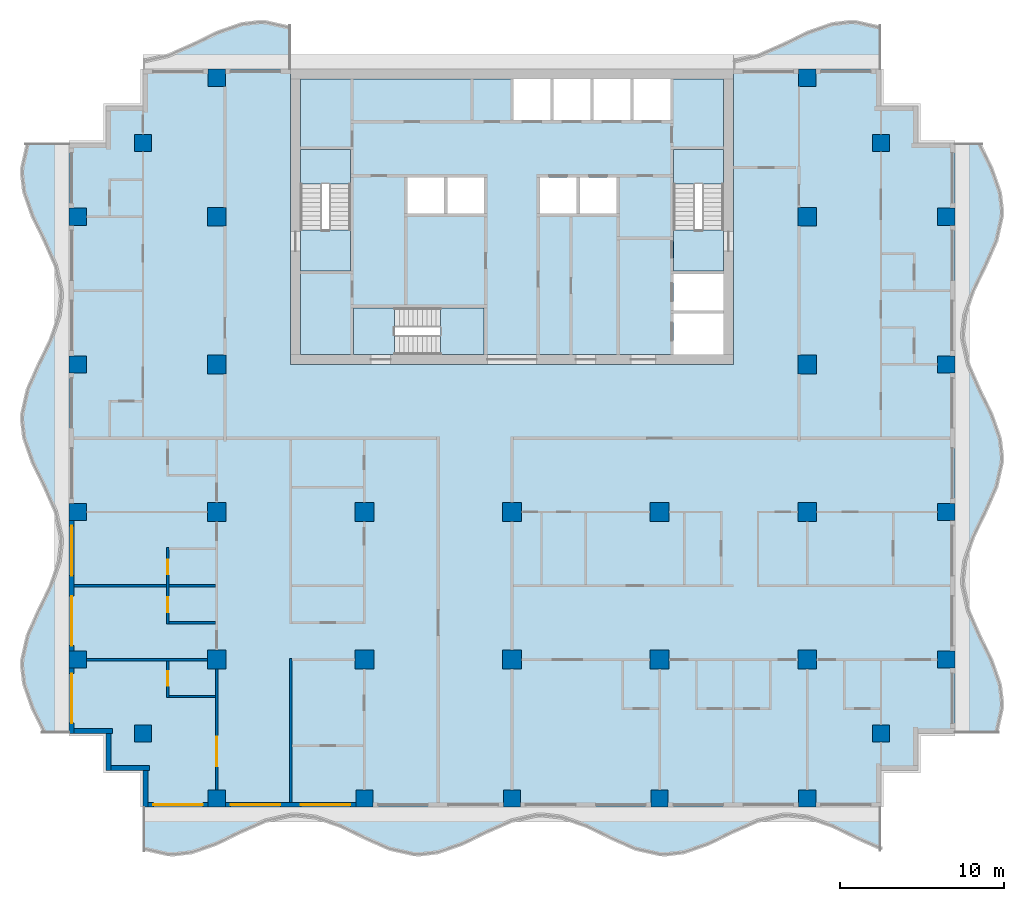
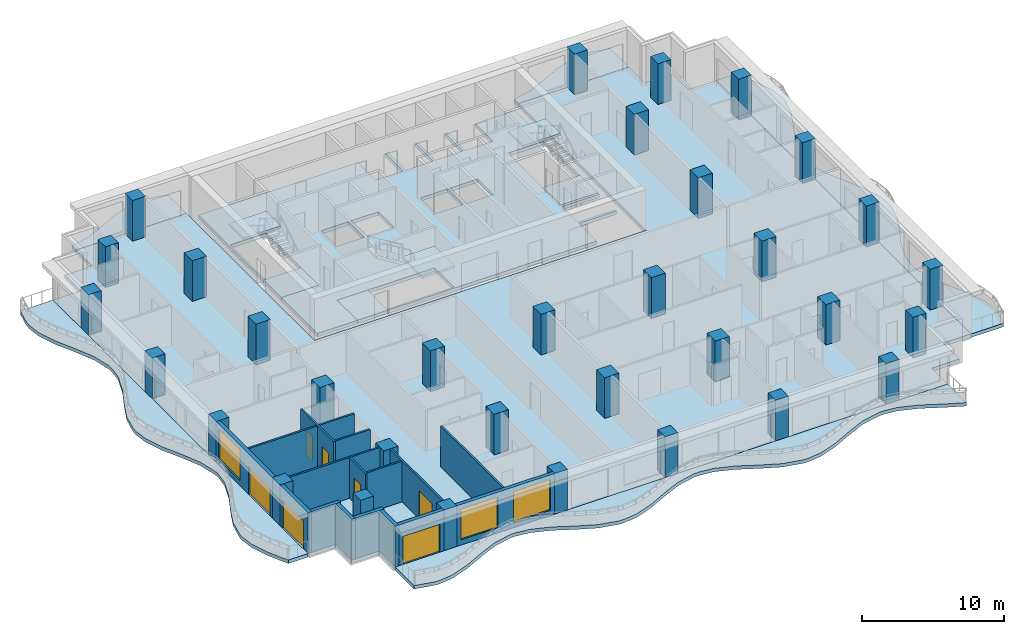
# One storey, part 1 of 11: 33 columns, 17 walls, 13 slabs, 7 doors, 3 windows, 10 openings, 3 elements without a shape of their own.
"""IFC4 building model written with IfcOpenShell, lengths in metres."""

import ifcopenshell
import ifcopenshell.guid

model = None  # the IFC model being written
_history = None  # IfcOwnerHistory: only IFC2X3 demands one
_inside = {}  # id of a spatial element -> (the spatial element, [elements in it])
_under = {}  # id of a project, library or spatial element -> (it, [spatial elements below it])
_declared = {}  # id of a project -> (the project, [libraries it declares])
_typed = {}  # id of a type object -> (the type object, [elements of that type])
_made_of = {}  # id of a material, layer set ... -> (it, [elements and type objects made of it])


def new_model(schema):
    """Start an empty IFC model of exactly this schema.

    Asked for "IFC4X3", IfcOpenShell would pick the latest addendum, in which some entities
    have other attributes; the version numbers below select the first issue.
    IFC2X3 requires an IfcOwnerHistory on every rooted entity: one is made here for all.
    """
    global model, _history
    if schema == "IFC4X3":
        model = ifcopenshell.file(schema_version=(4, 3, 0, 0))
    else:
        model = ifcopenshell.file(schema=schema)
    _inside.clear()
    _under.clear()
    _declared.clear()
    _typed.clear()
    _made_of.clear()
    _history = None
    if model.schema == "IFC2X3":
        org = make("IfcOrganization", Name="unknown")
        user = make(
            "IfcPersonAndOrganization",
            ThePerson=make("IfcPerson", FamilyName="unknown"),
            TheOrganization=org,
        )
        app = make(
            "IfcApplication",
            ApplicationDeveloper=org,
            Version="unknown",
            ApplicationFullName="unknown",
            ApplicationIdentifier="unknown",
        )
        _history = make(
            "IfcOwnerHistory",
            OwningUser=user,
            OwningApplication=app,
            ChangeAction="ADDED",
            CreationDate=0,
        )
    return model


def make(cls, **values):
    """One entity of the class cls with the attributes given. An attribute that is None is left unset."""
    return model.create_entity(
        cls, **{name: value for name, value in values.items() if value is not None}
    )


def rooted(cls, **values):
    """An entity with a GlobalId (a new one), such as an element, a storey or a relation."""
    return make(cls, GlobalId=ifcopenshell.guid.new(), OwnerHistory=_history, **values)


def si_unit(unit_type, name, prefix=None):
    """IfcSIUnit, for example si_unit("LENGTHUNIT", "METRE", prefix="MILLI")."""
    return make("IfcSIUnit", UnitType=unit_type, Prefix=prefix, Name=name)


def assignment(units):
    """IfcUnitAssignment: the units of a project."""
    return None if units is None else make("IfcUnitAssignment", Units=units)


def point(xyz):
    """IfcCartesianPoint."""
    return None if xyz is None else make("IfcCartesianPoint", Coordinates=xyz)


def direction(xyz):
    """IfcDirection."""
    return None if xyz is None else make("IfcDirection", DirectionRatios=xyz)


def frame(location, z_axis=None, x_axis=None):
    """IfcAxis2Placement3D, a coordinate frame: its origin and axes. An axis left out is left unset."""
    return make(
        "IfcAxis2Placement3D",
        Location=point(location),
        Axis=direction(z_axis),
        RefDirection=direction(x_axis),
    )


def frame_2d(location, x_axis=None):
    """IfcAxis2Placement2D, a coordinate frame in the plane: its origin and x axis."""
    return make(
        "IfcAxis2Placement2D", Location=point(location), RefDirection=direction(x_axis)
    )


def origin():
    """The frame at (0, 0, 0) with its axes left unset."""
    return frame((0.0, 0.0, 0.0))


def origin_2d():
    """The frame at (0, 0) in the plane with its x axis left unset."""
    return frame_2d((0.0, 0.0))


def place(relative_to, where):
    """IfcLocalPlacement: puts the frame where relative to a parent placement (None: the world)."""
    return make(
        "IfcLocalPlacement", PlacementRelTo=relative_to, RelativePlacement=where
    )


def context(
    kind, dimensions, precision=None, world=None, true_north=None, identifier=None
):
    """IfcGeometricRepresentationContext, for example the 3D "Model" context."""
    return make(
        "IfcGeometricRepresentationContext",
        ContextIdentifier=identifier,
        ContextType=kind,
        CoordinateSpaceDimension=dimensions,
        Precision=precision,
        WorldCoordinateSystem=world,
        TrueNorth=true_north,
    )


def subcontext(parent, identifier, kind, view, scale=None):
    """IfcGeometricRepresentationSubContext, for example "Body" below "Model"."""
    return make(
        "IfcGeometricRepresentationSubContext",
        ContextIdentifier=identifier,
        ContextType=kind,
        ParentContext=parent,
        TargetScale=scale,
        TargetView=view,
    )


def project(units=None, contexts=None):
    """IfcProject with its units and contexts."""
    return rooted(
        "IfcProject",
        Name="project",
        RepresentationContexts=contexts,
        UnitsInContext=assignment(units),
    )


def spatial(cls, under=None, at=None, **own):
    """A site, building, storey or space (cls), placed at a placement, below another one or the project."""
    s = rooted(cls, ObjectPlacement=at, **own)
    if under is not None:
        _under.setdefault(under.id(), (under, []))[1].append(s)
    return s


def polyline(points):
    """IfcPolyline through the points."""
    return make("IfcPolyline", Points=[point(p) for p in points])


def profile(cls, at=None, kind="AREA", **sizes):
    """A parametric profile (cls). Its sizes go by their IFC names, for example OverallWidth=200.0."""
    return make(cls, ProfileType=kind, Position=at, **sizes)


def rectangle(**sizes):
    """IfcRectangleProfileDef."""
    return profile("IfcRectangleProfileDef", **sizes)


def outline(outer, holes=None, kind="AREA"):
    """IfcArbitraryClosedProfileDef: a profile drawn as a closed curve; with holes, ...WithVoids."""
    if holes is None:
        return make("IfcArbitraryClosedProfileDef", ProfileType=kind, OuterCurve=outer)
    return make(
        "IfcArbitraryProfileDefWithVoids",
        ProfileType=kind,
        OuterCurve=outer,
        InnerCurves=holes,
    )


def extrude(swept, where, along, depth):
    """IfcExtrudedAreaSolid: the profile swept, set in the frame where, extruded along a direction by depth."""
    return make(
        "IfcExtrudedAreaSolid",
        SweptArea=swept,
        Position=where,
        ExtrudedDirection=direction(along),
        Depth=depth,
    )


def shape(context_of_items, identifier, shape_type, items):
    """IfcShapeRepresentation: the items that make up one representation, for example the "Body"."""
    return make(
        "IfcShapeRepresentation",
        ContextOfItems=context_of_items,
        RepresentationIdentifier=identifier,
        RepresentationType=shape_type,
        Items=items,
    )


def material(Name=None, Category=None):
    """IfcMaterial."""
    return make("IfcMaterial", Name=Name, Category=Category)


def layer(
    of_material, thickness, ventilated=None, Name=None, Category=None, Priority=None
):
    """IfcMaterialLayer: one layer of a wall or slab, of a material (None: an air gap)."""
    return make(
        "IfcMaterialLayer",
        Material=of_material,
        LayerThickness=thickness,
        IsVentilated=ventilated,
        Name=Name,
        Category=Category,
        Priority=Priority,
    )


def layer_set(layers, Name=None):
    """IfcMaterialLayerSet."""
    return make("IfcMaterialLayerSet", MaterialLayers=layers, LayerSetName=Name)


def material_profile(
    of_material, cross_section, Name=None, Category=None, Priority=None
):
    """IfcMaterialProfile: a cross section and its material."""
    return make(
        "IfcMaterialProfile",
        Name=Name,
        Material=of_material,
        Profile=cross_section,
        Priority=Priority,
        Category=Category,
    )


def profile_set(profiles, Name=None, composite=None):
    """IfcMaterialProfileSet."""
    return make(
        "IfcMaterialProfileSet",
        Name=Name,
        MaterialProfiles=profiles,
        CompositeProfile=composite,
    )


def made_of(thing, what):
    """Note that an element or type object is made of a material, layer set ...; save() writes the relation."""
    if what is not None:
        _made_of.setdefault(what.id(), (what, []))[1].append(thing)
    return thing


def type_object(cls, material=None, **own):
    """A type object (cls), such as IfcWallType, which elements share."""
    return made_of(rooted(cls, **own), material)


def element(
    cls,
    number,
    at=None,
    inside=None,
    cuts=None,
    type_object=None,
    material=None,
    context=None,
    identifier="Body",
    shape_type=None,
    held_by="IfcProductDefinitionShape",
    body=None,
    shapes=None,
    **own,
):
    """One element of the class cls, such as IfcWall. Its Tag is "e" and its number.

    at: its placement. inside: the storey or other place that contains it. cuts: it is an
    opening in that element (IfcRelVoidsElement). A single representation is given by context,
    identifier, shape_type and body (its items); several are given by shapes. held_by: the class
    of the entity that holds the representations. save() writes the other relations.
    """
    e = rooted(cls, Tag="e%d" % number, ObjectPlacement=at, **own)
    if body is not None:
        shapes = [shape(context, identifier, shape_type, body)]
    if shapes is not None:
        e.Representation = make(held_by, Representations=shapes)
    if inside is not None:
        _inside.setdefault(inside.id(), (inside, []))[1].append(e)
    if cuts is not None:
        rooted(
            "IfcRelVoidsElement", RelatingBuildingElement=cuts, RelatedOpeningElement=e
        )
    if type_object is not None:
        _typed.setdefault(type_object.id(), (type_object, []))[1].append(e)
    return made_of(e, material)


def fill(opening, filler):
    """IfcRelFillsElement: the door or window that sits in an opening."""
    return rooted(
        "IfcRelFillsElement",
        RelatingOpeningElement=opening,
        RelatedBuildingElement=filler,
    )


def aggregate(whole, parts):
    """IfcRelAggregates: a whole, such as a stair, and the parts it consists of."""
    return rooted("IfcRelAggregates", RelatingObject=whole, RelatedObjects=parts)


def save(model, path):
    """Write the relations noted so far, then the file.

    IfcRelAggregates (storeys below a building ...), IfcRelContainedInSpatialStructure (elements
    in a storey), IfcRelDefinesByType, IfcRelAssociatesMaterial and IfcRelDeclares: one each for
    every whole, place, type object, material and project.
    """
    for whole, parts in _under.values():
        aggregate(whole, parts)
    for where, things in _inside.values():
        rooted(
            "IfcRelContainedInSpatialStructure",
            RelatedElements=things,
            RelatingStructure=where,
        )
    for kind, things in _typed.values():
        rooted("IfcRelDefinesByType", RelatedObjects=things, RelatingType=kind)
    for what, things in _made_of.values():
        rooted("IfcRelAssociatesMaterial", RelatedObjects=things, RelatingMaterial=what)
    for by, libraries in _declared.values():
        rooted("IfcRelDeclares", RelatingContext=by, RelatedDefinitions=libraries)
    model.write(path)


model = new_model("IFC4")

# Units and contexts
model_context = context("Model", 3, precision=1e-05, world=origin(), true_north=direction((0.0, 1.0)))
body_context = subcontext(model_context, "Body", "Model", "MODEL_VIEW")
ifc_project = project(units=[si_unit("LENGTHUNIT", "METRE"), si_unit("AREAUNIT", "SQUARE_METRE"), si_unit("VOLUMEUNIT", "CUBIC_METRE"), si_unit("PLANEANGLEUNIT", "RADIAN"), si_unit("MASSUNIT", "GRAM", prefix="KILO")], contexts=[model_context])

# Site, building, storey
site_placement = place(None, origin())
site = spatial("IfcSite", under=ifc_project, at=site_placement, CompositionType="ELEMENT")
building_placement = place(site_placement, origin())
building = spatial("IfcBuilding", under=site, at=building_placement, Name="Orbiselva Terraces", CompositionType="ELEMENT")
storey_placement = place(building_placement, frame((0.0, 0.0, 184.4)))
storey = spatial("IfcBuildingStorey", under=building, at=storey_placement, Name="L46", CompositionType="ELEMENT", Elevation=184.4)

# Columns
ifc_material_1 = material(Name="Concrete C60/75", Category="concrete")
ifc_material_profile_1 = material_profile(ifc_material_1, rectangle(XDim=1.15, YDim=1.15, at=origin_2d()), Name="RC 1150x1150")
ifc_profile_set_1 = profile_set([ifc_material_profile_1], Name="Concrete C60/75")
column_type_1 = type_object("IfcColumnType", Name="COLUMN RC 1150x1150", PredefinedType="COLUMN", material=ifc_profile_set_1)
for number, where, z_axis, x_axis, name in (
    (1, (-18.0, -13.5, 0.0), (0.0, 0.0, 1.0), (1.0, 0.0, 0.0), "Column L46-01"),
    (2, (-18.0, -4.5, 0.0), (0.0, 0.0, 1.0), (1.0, 0.0, 0.0), "Column L46-03"),
    (3, (-18.0, 13.5, 0.0), (0.0, 0.0, 1.0), (1.0, 0.0, 0.0), "Column L46-04"),
    (4, (-18.0, 4.5, 0.0), (0.0, 0.0, 1.0), (1.0, 0.0, 0.0), "Column L46-06"),
    (5, (-9.0, -13.5, 0.0), (0.0, 0.0, 1.0), (1.0, 0.0, 0.0), "Column L46-13"),
    (6, (-9.0, -4.5, 0.0), (0.0, 0.0, 1.0), (1.0, 0.0, 0.0), "Column L46-15"),
    (7, (0.0, -13.5, 0.0), (0.0, 0.0, 1.0), (1.0, 0.0, 0.0), "Column L46-16"),
    (8, (0.0, -4.5, 0.0), (0.0, 0.0, 1.0), (1.0, 0.0, 0.0), "Column L46-18"),
    (9, (18.0, -13.5, 0.0), (0.0, 0.0, 1.0), (1.0, 0.0, 0.0), "Column L46-19"),
    (10, (18.0, -4.5, 0.0), (0.0, 0.0, 1.0), (1.0, 0.0, 0.0), "Column L46-21"),
    (11, (18.0, 13.5, 0.0), (0.0, 0.0, 1.0), (1.0, 0.0, 0.0), "Column L46-22"),
    (12, (18.0, 4.5, 0.0), (0.0, 0.0, 1.0), (1.0, 0.0, 0.0), "Column L46-24"),
    (13, (9.0, -13.5, 0.0), (0.0, 0.0, 1.0), (1.0, 0.0, 0.0), "Column L46-31"),
    (14, (9.0, -4.5, 0.0), (0.0, 0.0, 1.0), (1.0, 0.0, 0.0), "Column L46-33"),
):
    element("IfcColumn", number, at=place(storey_placement, frame(where, z_axis=z_axis, x_axis=x_axis)), inside=storey, type_object=column_type_1, Name=name, PredefinedType="COLUMN", context=body_context, shape_type="SweptSolid", body=[
        extrude(rectangle(XDim=1.15, YDim=1.15, at=origin_2d()), origin(), (0.0, 0.0, 1.0), 3.5),
    ])
ifc_material_2 = material(Name="Concrete C50/60", Category="concrete")
ifc_material_profile_2 = material_profile(ifc_material_2, rectangle(XDim=1.05, YDim=1.05, at=origin_2d()), Name="RC 1050x1050")
ifc_profile_set_2 = profile_set([ifc_material_profile_2], Name="Concrete C50/60")
column_type_2 = type_object("IfcColumnType", Name="PERIMETER COLUMN RC 1050x1050", PredefinedType="COLUMN", material=ifc_profile_set_2)
for number, where, z_axis, x_axis, name in (
    (15, (-18.0, -21.975, 0.0), (0.0, 0.0, 1.0), (1.0, 0.0, 0.0), "Column L46-02"),
    (16, (-18.0, 21.975, 0.0), (0.0, 0.0, 1.0), (1.0, 0.0, 0.0), "Column L46-05"),
    (17, (-26.475, -13.5, 0.0), (0.0, 0.0, 1.0), (1.0, 0.0, 0.0), "Column L46-07"),
    (18, (-22.5, -18.0, 0.0), (0.0, 0.0, 1.0), (1.0, 0.0, 0.0), "Column L46-08"),
    (19, (-26.475, -4.5, 0.0), (0.0, 0.0, 1.0), (1.0, 0.0, 0.0), "Column L46-09"),
    (20, (-26.475, 13.5, 0.0), (0.0, 0.0, 1.0), (1.0, 0.0, 0.0), "Column L46-10"),
    (21, (-22.5, 18.0, 0.0), (0.0, 0.0, 1.0), (1.0, 0.0, 0.0), "Column L46-11"),
    (22, (-26.475, 4.5, 0.0), (0.0, 0.0, 1.0), (1.0, 0.0, 0.0), "Column L46-12"),
    (23, (-9.0, -21.975, 0.0), (0.0, 0.0, 1.0), (1.0, 0.0, 0.0), "Column L46-14"),
    (24, (0.0, -21.975, 0.0), (0.0, 0.0, 1.0), (1.0, 0.0, 0.0), "Column L46-17"),
    (25, (18.0, -21.975, 0.0), (0.0, 0.0, 1.0), (1.0, 0.0, 0.0), "Column L46-20"),
    (26, (18.0, 21.975, 0.0), (0.0, 0.0, 1.0), (1.0, 0.0, 0.0), "Column L46-23"),
    (27, (26.475, -13.5, 0.0), (0.0, 0.0, 1.0), (1.0, 0.0, 0.0), "Column L46-25"),
    (28, (22.5, -18.0, 0.0), (0.0, 0.0, 1.0), (1.0, 0.0, 0.0), "Column L46-26"),
    (29, (26.475, -4.5, 0.0), (0.0, 0.0, 1.0), (1.0, 0.0, 0.0), "Column L46-27"),
    (30, (26.475, 13.5, 0.0), (0.0, 0.0, 1.0), (1.0, 0.0, 0.0), "Column L46-28"),
    (31, (22.5, 18.0, 0.0), (0.0, 0.0, 1.0), (1.0, 0.0, 0.0), "Column L46-29"),
    (32, (26.475, 4.5, 0.0), (0.0, 0.0, 1.0), (1.0, 0.0, 0.0), "Column L46-30"),
    (33, (9.0, -21.975, 0.0), (0.0, 0.0, 1.0), (1.0, 0.0, 0.0), "Column L46-32"),
):
    element("IfcColumn", number, at=place(storey_placement, frame(where, z_axis=z_axis, x_axis=x_axis)), inside=storey, type_object=column_type_2, Name=name, PredefinedType="COLUMN", context=body_context, shape_type="SweptSolid", body=[
        extrude(rectangle(XDim=1.05, YDim=1.05, at=origin_2d()), origin(), (0.0, 0.0, 1.0), 3.5),
    ])

# Slabs
ifc_material_3 = material(Name="Concrete C40/50", Category="concrete")
ifc_layer_1 = layer(ifc_material_3, 0.3)
ifc_layer_set_1 = layer_set([ifc_layer_1], Name="Concrete C40/50")
slab_type_1 = type_object("IfcSlabType", Name="CORE-SLAB-FLOOR-300", PredefinedType="FLOOR", material=ifc_layer_set_1)
slab_1_placement = place(storey_placement, frame((0.0, 0.0, -0.3)))
element("IfcSlab", 34, at=slab_1_placement, inside=storey, type_object=slab_type_1, Name="L46 S1 floor landing", PredefinedType="FLOOR", context=body_context, shape_type="SweptSolid", body=[
    extrude(outline(polyline([(-12.9, 12.7), (-9.85, 12.7), (-9.85, 10.2), (-12.9, 10.2), (-12.9, 12.7)])), origin(), (0.0, 0.0, 1.0), 0.3),
])
slab_2_placement = place(storey_placement, frame((0.0, 0.0, -0.3)))
element("IfcSlab", 35, at=slab_2_placement, inside=storey, type_object=slab_type_1, Name="L46 S2 floor landing", PredefinedType="FLOOR", context=body_context, shape_type="SweptSolid", body=[
    extrude(outline(polyline([(12.9, 10.2), (9.85, 10.2), (9.85, 12.7), (12.9, 12.7), (12.9, 10.2)])), origin(), (0.0, 0.0, 1.0), 0.3),
])
slab_3_placement = place(storey_placement, frame((0.0, 0.0, -0.3)))
element("IfcSlab", 36, at=slab_3_placement, inside=storey, type_object=slab_type_1, Name="L46 S3 floor landing", PredefinedType="FLOOR", context=body_context, shape_type="SweptSolid", body=[
    extrude(outline(polyline([(-9.65, 5.1), (-9.65, 7.95), (-7.15, 7.95), (-7.15, 5.1), (-9.65, 5.1)])), origin(), (0.0, 0.0, 1.0), 0.3),
])
slab_4_placement = place(storey_placement, frame((0.0, 0.0, -0.3)))
element("IfcSlab", 37, at=slab_4_placement, inside=storey, type_object=slab_type_1, Name="L46 core floor slab 1", PredefinedType="FLOOR", context=body_context, shape_type="SweptSolid", body=[
    extrude(outline(polyline([(-7.15, 5.1), (-7.15, 5.25), (-1.7, 5.25), (-1.7, 7.95), (-9.65, 7.95), (-9.65, 5.1), (-12.9, 5.1), (-12.9, 10.2), (-9.85, 10.2), (-9.85, 17.6), (-12.75, 17.6), (-12.75, 12.7), (-12.9, 12.7), (-12.9, 21.9), (0.1, 21.9), (0.1, 19.4), (2.3375, 19.4), (2.3375, 21.9), (2.5375, 21.9), (2.5375, 19.4), (4.775, 19.4), (4.775, 21.9), (4.975, 21.9), (4.975, 19.4), (7.2125, 19.4), (7.2125, 21.9), (7.4125, 21.9), (7.4125, 19.4), (9.65, 19.4), (9.65, 21.9), (12.9, 21.9), (12.9, 12.7), (12.75, 12.7), (12.75, 17.6), (9.85, 17.6), (9.85, 10.2), (12.9, 10.2), (12.9, 10.0), (9.85, 10.0), (9.85, 7.8), (12.9, 7.8), (12.9, 7.6), (9.85, 7.6), (9.85, 5.1), (-7.15, 5.1)]), holes=[polyline([(-4.1375, 13.7), (-4.1375, 15.9), (-6.375, 15.9), (-6.375, 13.7), (-4.1375, 13.7)]), polyline([(-1.7, 13.7), (-1.7, 15.9), (-3.9375, 15.9), (-3.9375, 13.7), (-1.7, 13.7)]), polyline([(3.9375, 15.9), (1.7, 15.9), (1.7, 13.7), (3.9375, 13.7), (3.9375, 15.9)]), polyline([(6.375, 13.7), (6.375, 15.9), (4.1375, 15.9), (4.1375, 13.7), (6.375, 13.7)])]), origin(), (0.0, 0.0, 1.0), 0.3),
])

# Stair, slab
stair_type_1 = type_object("IfcStairType", Name="CORE-STAIR-1300", PredefinedType="HALF_TURN_STAIR", material=ifc_material_3)
stair_1_placement = place(storey_placement, origin())
stair_1 = element("IfcStair", 38, at=stair_1_placement, inside=storey, type_object=stair_type_1, Name="L46 Exit Stair S1", PredefinedType="HALF_TURN_STAIR")
ifc_layer_2 = layer(ifc_material_3, 0.2)
ifc_layer_set_2 = layer_set([ifc_layer_2], Name="Concrete C40/50")
slab_type_2 = type_object("IfcSlabType", Name="CORE-STAIR-LANDING-200", PredefinedType="LANDING", material=ifc_layer_set_2)
slab_5_placement = place(storey_placement, frame((0.0, 0.0, 1.7)))
slab_5 = element("IfcSlab", 39, at=slab_5_placement, type_object=slab_type_2, Name="S1 landing 1", PredefinedType="LANDING", context=body_context, shape_type="SweptSolid", body=[
    extrude(outline(polyline([(-9.85, 15.5), (-9.85, 17.6), (-12.9, 17.6), (-12.9, 15.5), (-9.85, 15.5)])), origin(), (0.0, 0.0, 1.0), 0.2),
])
aggregate(stair_1, [slab_5])

stair_2_placement = place(storey_placement, origin())
stair_2 = element("IfcStair", 40, at=stair_2_placement, inside=storey, type_object=stair_type_1, Name="L46 Exit Stair S2", PredefinedType="HALF_TURN_STAIR")
slab_6_placement = place(storey_placement, frame((0.0, 0.0, 1.7)))
slab_6 = element("IfcSlab", 41, at=slab_6_placement, type_object=slab_type_2, Name="S2 landing 1", PredefinedType="LANDING", context=body_context, shape_type="SweptSolid", body=[
    extrude(outline(polyline([(12.9, 15.5), (12.9, 17.6), (9.85, 17.6), (9.85, 15.5), (12.9, 15.5)])), origin(), (0.0, 0.0, 1.0), 0.2),
])
aggregate(stair_2, [slab_6])

stair_type_2 = type_object("IfcStairType", Name="CORE-STAIR-1200", PredefinedType="HALF_TURN_STAIR", material=ifc_material_3)
stair_3_placement = place(storey_placement, origin())
stair_3 = element("IfcStair", 42, at=stair_3_placement, inside=storey, type_object=stair_type_2, Name="L46 Exit Stair S3", PredefinedType="HALF_TURN_STAIR")
slab_7_placement = place(storey_placement, frame((0.0, 0.0, 1.7)))
slab_7 = element("IfcSlab", 43, at=slab_7_placement, type_object=slab_type_2, Name="S3 landing 1", PredefinedType="LANDING", context=body_context, shape_type="SweptSolid", body=[
    extrude(outline(polyline([(-4.35, 5.1), (-1.7, 5.1), (-1.7, 7.95), (-4.35, 7.95), (-4.35, 5.1)])), origin(), (0.0, 0.0, 1.0), 0.2),
])
aggregate(stair_3, [slab_7])

# Slabs
ifc_layer_3 = layer(ifc_material_2, 0.3)
ifc_layer_set_3 = layer_set([ifc_layer_3], Name="Concrete C50/60")
slab_type_3 = type_object("IfcSlabType", Name="ENV-BALCONY-SLAB-300", PredefinedType="FLOOR", material=ifc_layer_set_3)
slab_8_placement = place(storey_placement, frame((0.0, 0.0, -0.3)))
element("IfcSlab", 44, at=slab_8_placement, inside=storey, type_object=slab_type_3, Name="Balcony slab L46 S", PredefinedType="FLOOR", context=body_context, shape_type="SweptSolid", body=[
    extrude(outline(polyline([(-22.5, -25.148528), (-21.0, -25.485226), (-20.625, -25.5), (-19.5, -25.369208), (-18.0, -24.844789), (-16.5, -24.112279), (-15.0, -23.451472), (-13.5, -23.114774), (-13.125, -23.1), (-12.0, -23.230792), (-10.5, -23.755211), (-9.0, -24.487721), (-7.5, -25.148528), (-6.0, -25.485226), (-5.625, -25.5), (-4.5, -25.369208), (-3.0, -24.844789), (-1.5, -24.112279), (0.0, -23.451472), (1.5, -23.114774), (1.875, -23.1), (3.0, -23.230792), (4.5, -23.755211), (6.0, -24.487721), (7.5, -25.148528), (9.0, -25.485226), (9.375, -25.5), (10.5, -25.369208), (12.0, -24.844789), (13.5, -24.112279), (15.0, -23.451472), (16.5, -23.114774), (16.875, -23.1), (18.0, -23.230792), (19.5, -23.755211), (21.0, -24.487721), (22.5, -25.148528), (22.5, -22.5), (-22.5, -22.5), (-22.5, -25.148528)])), origin(), (0.0, 0.0, 1.0), 0.3),
])
slab_9_placement = place(storey_placement, frame((0.0, 0.0, -0.3)))
element("IfcSlab", 45, at=slab_9_placement, inside=storey, type_object=slab_type_3, Name="Balcony slab L46 E", PredefinedType="FLOOR", context=body_context, shape_type="SweptSolid", body=[
    extrude(outline(polyline([(29.648528, -18.0), (29.985226, -16.5), (30.0, -16.125), (29.869208, -15.0), (29.344789, -13.5), (28.612279, -12.0), (27.951472, -10.5), (27.614774, -9.0), (27.6, -8.625), (27.730792, -7.5), (28.255211, -6.0), (28.987721, -4.5), (29.648528, -3.0), (29.985226, -1.5), (30.0, -1.125), (29.869208, 0.0), (29.344789, 1.5), (28.612279, 3.0), (27.951472, 4.5), (27.614774, 6.0), (27.6, 6.375), (27.730792, 7.5), (28.255211, 9.0), (28.987721, 10.5), (29.648528, 12.0), (29.985226, 13.5), (30.0, 13.875), (29.869208, 15.0), (29.344789, 16.5), (28.612279, 18.0), (27.0, 18.0), (27.0, -18.0), (29.648528, -18.0)])), origin(), (0.0, 0.0, 1.0), 0.3),
])
slab_10_placement = place(storey_placement, frame((0.0, 0.0, -0.3)))
element("IfcSlab", 46, at=slab_10_placement, inside=storey, type_object=slab_type_3, Name="Balcony slab L46 NE", PredefinedType="FLOOR", context=body_context, shape_type="SweptSolid", body=[
    extrude(outline(polyline([(22.5, 25.148528), (21.0, 25.485226), (20.625, 25.5), (19.5, 25.369208), (18.0, 24.844789), (16.5, 24.112279), (15.0, 23.451472), (13.5, 23.114774), (13.5, 22.5), (22.5, 22.5), (22.5, 25.148528)])), origin(), (0.0, 0.0, 1.0), 0.3),
])
slab_11_placement = place(storey_placement, frame((0.0, 0.0, -0.3)))
element("IfcSlab", 47, at=slab_11_placement, inside=storey, type_object=slab_type_3, Name="Balcony slab L46 NW", PredefinedType="FLOOR", context=body_context, shape_type="SweptSolid", body=[
    extrude(outline(polyline([(-13.5, 25.148528), (-15.0, 25.485226), (-15.375, 25.5), (-16.5, 25.369208), (-18.0, 24.844789), (-19.5, 24.112279), (-21.0, 23.451472), (-22.5, 23.114774), (-22.5, 22.5), (-13.5, 22.5), (-13.5, 25.148528)])), origin(), (0.0, 0.0, 1.0), 0.3),
])
slab_12_placement = place(storey_placement, frame((0.0, 0.0, -0.3)))
element("IfcSlab", 48, at=slab_12_placement, inside=storey, type_object=slab_type_3, Name="Balcony slab L46 W", PredefinedType="FLOOR", context=body_context, shape_type="SweptSolid", body=[
    extrude(outline(polyline([(-29.648528, 18.0), (-29.985226, 16.5), (-30.0, 16.125), (-29.869208, 15.0), (-29.344789, 13.5), (-28.612279, 12.0), (-27.951472, 10.5), (-27.614774, 9.0), (-27.6, 8.625), (-27.730792, 7.5), (-28.255211, 6.0), (-28.987721, 4.5), (-29.648528, 3.0), (-29.985226, 1.5), (-30.0, 1.125), (-29.869208, 0.0), (-29.344789, -1.5), (-28.612279, -3.0), (-27.951472, -4.5), (-27.614774, -6.0), (-27.6, -6.375), (-27.730792, -7.5), (-28.255211, -9.0), (-28.987721, -10.5), (-29.648528, -12.0), (-29.985226, -13.5), (-30.0, -13.875), (-29.869208, -15.0), (-29.344789, -16.5), (-28.612279, -18.0), (-27.0, -18.0), (-27.0, 18.0), (-29.648528, 18.0)])), origin(), (0.0, 0.0, 1.0), 0.3),
])
ifc_layer_4 = layer(ifc_material_2, 0.3)
ifc_layer_set_4 = layer_set([ifc_layer_4], Name="Concrete C50/60")
slab_type_4 = type_object("IfcSlabType", Name="FLOOR SLAB 300", PredefinedType="FLOOR", material=ifc_layer_set_4)
slab_13_placement = place(storey_placement, frame((0.0, 0.0, -0.3)))
element("IfcSlab", 49, at=slab_13_placement, inside=storey, type_object=slab_type_4, Name="Floor slab L46", PredefinedType="FLOOR", context=body_context, shape_type="SweptSolid", body=[
    extrude(outline(polyline([(22.5, 22.5), (22.5, 20.25), (24.75, 20.25), (24.75, 18.0), (27.0, 18.0), (27.0, -18.0), (24.75, -18.0), (24.75, -20.25), (22.5, -20.25), (22.5, -22.5), (-22.5, -22.5), (-22.5, -20.25), (-24.75, -20.25), (-24.75, -18.0), (-27.0, -18.0), (-27.0, 18.0), (-24.75, 18.0), (-24.75, 20.25), (-22.5, 20.25), (-22.5, 22.5), (-13.5, 22.5), (-13.5, 4.5), (13.5, 4.5), (13.5, 22.5), (22.5, 22.5)])), origin(), (0.0, 0.0, 1.0), 0.3),
])

# Wall, opening, door
ifc_material_4 = material(Name="Terracotta cladding on masonry backing", Category="masonry")
ifc_layer_5 = layer(ifc_material_4, 0.3)
ifc_layer_set_5 = layer_set([ifc_layer_5], Name="Terracotta cladding on masonry backing")
wall_type_1 = type_object("IfcWallType", Name="ENV-WALL-TERRACOTTA-300", PredefinedType="SOLIDWALL", material=ifc_layer_set_5)
wall_1_placement = place(storey_placement, frame((-18.525, -22.35, 0.0), z_axis=(0.0, 0.0, 1.0), x_axis=(-1.0, 0.0, 0.0)))
wall_1 = element("IfcWall", 50, at=wall_1_placement, inside=storey, type_object=wall_type_1, Name="Facade wall L46 S", PredefinedType="SOLIDWALL", context=body_context, shape_type="SweptSolid", body=[
    extrude(rectangle(XDim=3.675, YDim=0.3, at=frame_2d((1.8375, 0.0))), origin(), (0.0, 0.0, 1.0), 3.5),
])
opening_1_placement = place(wall_1_placement, frame((0.325, 0.0, 0.0)))
opening_1 = element("IfcOpeningElement", 51, at=opening_1_placement, cuts=wall_1, Name="Opening Z4-A-E01", PredefinedType="OPENING", context=body_context, shape_type="SweptSolid", body=[
    extrude(rectangle(XDim=3.025, YDim=2.4, at=frame_2d((1.5125, 1.2))), frame((0.0, 0.16, 0.0), z_axis=(0.0, -1.0, 0.0), x_axis=(1.0, 0.0, 0.0)), (0.0, 0.0, 1.0), 0.32),
])
ifc_material_5 = material(Name="Clear low-e glazing in aluminium frame", Category="aluminium")
door_type_1 = type_object("IfcDoorType", Name="BALCONY DOOR 3025 X 2400", OperationType="DOUBLE_DOOR_SLIDING", PredefinedType="DOOR", material=ifc_material_5)
door_1_placement = place(opening_1_placement, origin())
door_1 = element("IfcDoor", 52, at=door_1_placement, inside=storey, type_object=door_type_1, Name="Z4-A-E01", OperationType="SINGLE_SWING_LEFT", OverallHeight=2.4, OverallWidth=3.025, PredefinedType="DOOR", context=body_context, shape_type="SweptSolid", body=[
    extrude(rectangle(XDim=3.025, YDim=2.4, at=frame_2d((1.5125, 1.2))), frame((0.0, 0.025, 0.0), z_axis=(0.0, -1.0, 0.0), x_axis=(1.0, 0.0, 0.0)), (0.0, 0.0, 1.0), 0.05),
])
fill(opening_1, door_1)

# Wall, openings, windows
wall_2_placement = place(storey_placement, frame((-9.525, -22.35, 0.0), z_axis=(0.0, 0.0, 1.0), x_axis=(-1.0, 0.0, 0.0)))
wall_2 = element("IfcWall", 53, at=wall_2_placement, inside=storey, type_object=wall_type_1, Name="Facade wall L46 S", PredefinedType="SOLIDWALL", context=body_context, shape_type="SweptSolid", body=[
    extrude(rectangle(XDim=7.95, YDim=0.3, at=frame_2d((3.975, 0.0))), origin(), (0.0, 0.0, 1.0), 3.5),
])
opening_2_placement = place(wall_2_placement, frame((4.6, 0.0, 0.45)))
opening_2 = element("IfcOpeningElement", 54, at=opening_2_placement, cuts=wall_2, Name="Opening WN14", PredefinedType="OPENING", context=body_context, shape_type="SweptSolid", body=[
    extrude(rectangle(XDim=3.025, YDim=2.65, at=frame_2d((1.5125, 1.325))), frame((0.0, 0.16, 0.0), z_axis=(0.0, -1.0, 0.0), x_axis=(1.0, 0.0, 0.0)), (0.0, 0.0, 1.0), 0.32),
])
opening_3_placement = place(wall_2_placement, frame((0.325, 0.0, 0.45)))
opening_3 = element("IfcOpeningElement", 55, at=opening_3_placement, cuts=wall_2, Name="Opening WN14", PredefinedType="OPENING", context=body_context, shape_type="SweptSolid", body=[
    extrude(rectangle(XDim=3.025, YDim=2.65, at=frame_2d((1.5125, 1.325))), frame((0.0, 0.16, 0.0), z_axis=(0.0, -1.0, 0.0), x_axis=(1.0, 0.0, 0.0)), (0.0, 0.0, 1.0), 0.32),
])
window_type = type_object("IfcWindowType", Name="WINDOW 3025 X 2650 S450", PartitioningType="TRIPLE_PANEL_VERTICAL", PredefinedType="WINDOW", material=ifc_material_5)
window_1_placement = place(opening_2_placement, origin())
window_1 = element("IfcWindow", 56, at=window_1_placement, inside=storey, type_object=window_type, Name="Window L46 S", OverallHeight=2.65, OverallWidth=3.025, PartitioningType="SINGLE_PANEL", PredefinedType="WINDOW", context=body_context, shape_type="SweptSolid", body=[
    extrude(rectangle(XDim=3.025, YDim=2.65, at=frame_2d((1.5125, 1.325))), frame((0.0, 0.03, 0.0), z_axis=(0.0, -1.0, 0.0), x_axis=(1.0, 0.0, 0.0)), (0.0, 0.0, 1.0), 0.06),
])
fill(opening_2, window_1)
window_2_placement = place(opening_3_placement, origin())
window_2 = element("IfcWindow", 57, at=window_2_placement, inside=storey, type_object=window_type, Name="Window L46 S", OverallHeight=2.65, OverallWidth=3.025, PartitioningType="SINGLE_PANEL", PredefinedType="WINDOW", context=body_context, shape_type="SweptSolid", body=[
    extrude(rectangle(XDim=3.025, YDim=2.65, at=frame_2d((1.5125, 1.325))), frame((0.0, 0.03, 0.0), z_axis=(0.0, -1.0, 0.0), x_axis=(1.0, 0.0, 0.0)), (0.0, 0.0, 1.0), 0.06),
])
fill(opening_3, window_2)

# Wall, openings, door, window
wall_3_placement = place(storey_placement, frame((-26.85, -12.975, 0.0), z_axis=(0.0, 0.0, 1.0), x_axis=(0.0, 1.0, 0.0)))
wall_3 = element("IfcWall", 58, at=wall_3_placement, inside=storey, type_object=wall_type_1, Name="Facade wall L46 W", PredefinedType="SOLIDWALL", context=body_context, shape_type="SweptSolid", body=[
    extrude(rectangle(XDim=7.95, YDim=0.3, at=frame_2d((3.975, 0.0))), origin(), (0.0, 0.0, 1.0), 3.5),
])
opening_4_placement = place(wall_3_placement, frame((4.6, 0.0, 0.45)))
opening_4 = element("IfcOpeningElement", 59, at=opening_4_placement, cuts=wall_3, Name="Opening WN14", PredefinedType="OPENING", context=body_context, shape_type="SweptSolid", body=[
    extrude(rectangle(XDim=3.025, YDim=2.65, at=frame_2d((1.5125, 1.325))), frame((0.0, 0.16, 0.0), z_axis=(0.0, -1.0, 0.0), x_axis=(1.0, 0.0, 0.0)), (0.0, 0.0, 1.0), 0.32),
])
opening_5_placement = place(wall_3_placement, frame((0.325, 0.0, 0.0)))
opening_5 = element("IfcOpeningElement", 60, at=opening_5_placement, cuts=wall_3, Name="Opening Z4-A-E13", PredefinedType="OPENING", context=body_context, shape_type="SweptSolid", body=[
    extrude(rectangle(XDim=3.025, YDim=2.4, at=frame_2d((1.5125, 1.2))), frame((0.0, 0.16, 0.0), z_axis=(0.0, -1.0, 0.0), x_axis=(1.0, 0.0, 0.0)), (0.0, 0.0, 1.0), 0.32),
])
door_2_placement = place(opening_5_placement, origin())
door_2 = element("IfcDoor", 61, at=door_2_placement, inside=storey, type_object=door_type_1, Name="Z4-A-E13", OperationType="SINGLE_SWING_LEFT", OverallHeight=2.4, OverallWidth=3.025, PredefinedType="DOOR", context=body_context, shape_type="SweptSolid", body=[
    extrude(rectangle(XDim=3.025, YDim=2.4, at=frame_2d((1.5125, 1.2))), frame((0.0, 0.025, 0.0), z_axis=(0.0, -1.0, 0.0), x_axis=(1.0, 0.0, 0.0)), (0.0, 0.0, 1.0), 0.05),
])
fill(opening_5, door_2)
window_3_placement = place(opening_4_placement, origin())
window_3 = element("IfcWindow", 62, at=window_3_placement, inside=storey, type_object=window_type, Name="Window L46 W", OverallHeight=2.65, OverallWidth=3.025, PartitioningType="SINGLE_PANEL", PredefinedType="WINDOW", context=body_context, shape_type="SweptSolid", body=[
    extrude(rectangle(XDim=3.025, YDim=2.65, at=frame_2d((1.5125, 1.325))), frame((0.0, 0.03, 0.0), z_axis=(0.0, -1.0, 0.0), x_axis=(1.0, 0.0, 0.0)), (0.0, 0.0, 1.0), 0.06),
])
fill(opening_4, window_3)

# Wall, opening, door
wall_4_placement = place(storey_placement, frame((-26.85, -18.0, 0.0), z_axis=(0.0, 0.0, 1.0), x_axis=(0.0, 1.0, 0.0)))
wall_4 = element("IfcWall", 63, at=wall_4_placement, inside=storey, type_object=wall_type_1, Name="Facade wall L46 W", PredefinedType="SOLIDWALL", context=body_context, shape_type="SweptSolid", body=[
    extrude(rectangle(XDim=3.975, YDim=0.3, at=frame_2d((1.9875, 0.0))), origin(), (0.0, 0.0, 1.0), 3.5),
])
opening_6_placement = place(wall_4_placement, frame((0.625, 0.0, 0.0)))
opening_6 = element("IfcOpeningElement", 64, at=opening_6_placement, cuts=wall_4, Name="Opening Z4-A-E14", PredefinedType="OPENING", context=body_context, shape_type="SweptSolid", body=[
    extrude(rectangle(XDim=3.025, YDim=2.4, at=frame_2d((1.5125, 1.2))), frame((0.0, 0.16, 0.0), z_axis=(0.0, -1.0, 0.0), x_axis=(1.0, 0.0, 0.0)), (0.0, 0.0, 1.0), 0.32),
])
door_3_placement = place(opening_6_placement, origin())
door_3 = element("IfcDoor", 65, at=door_3_placement, inside=storey, type_object=door_type_1, Name="Z4-A-E14", OperationType="SINGLE_SWING_LEFT", OverallHeight=2.4, OverallWidth=3.025, PredefinedType="DOOR", context=body_context, shape_type="SweptSolid", body=[
    extrude(rectangle(XDim=3.025, YDim=2.4, at=frame_2d((1.5125, 1.2))), frame((0.0, 0.025, 0.0), z_axis=(0.0, -1.0, 0.0), x_axis=(1.0, 0.0, 0.0)), (0.0, 0.0, 1.0), 0.05),
])
fill(opening_6, door_3)

# Walls
wall_5_placement = place(storey_placement, frame((-24.35, -17.85, 0.0), z_axis=(0.0, 0.0, 1.0), x_axis=(-1.0, 0.0, 0.0)))
element("IfcWall", 66, at=wall_5_placement, inside=storey, type_object=wall_type_1, Name="Facade wall L46 STEP", PredefinedType="SOLIDWALL", context=body_context, shape_type="SweptSolid", body=[
    extrude(rectangle(XDim=2.35, YDim=0.3, at=frame_2d((1.175, 0.0))), origin(), (0.0, 0.0, 1.0), 3.5),
])
wall_6_placement = place(storey_placement, frame((-24.6, -20.25, 0.0), z_axis=(0.0, 0.0, 1.0), x_axis=(0.0, 1.0, 0.0)))
element("IfcWall", 67, at=wall_6_placement, inside=storey, type_object=wall_type_1, Name="Facade wall L46 STEP", PredefinedType="SOLIDWALL", context=body_context, shape_type="SweptSolid", body=[
    extrude(rectangle(XDim=2.25, YDim=0.3, at=frame_2d((1.125, 0.0))), origin(), (0.0, 0.0, 1.0), 3.5),
])
wall_7_placement = place(storey_placement, frame((-22.1, -20.1, 0.0), z_axis=(0.0, 0.0, 1.0), x_axis=(-1.0, 0.0, 0.0)))
element("IfcWall", 68, at=wall_7_placement, inside=storey, type_object=wall_type_1, Name="Facade wall L46 STEP", PredefinedType="SOLIDWALL", context=body_context, shape_type="SweptSolid", body=[
    extrude(rectangle(XDim=2.35, YDim=0.3, at=frame_2d((1.175, 0.0))), origin(), (0.0, 0.0, 1.0), 3.5),
])
wall_8_placement = place(storey_placement, frame((-22.35, -22.5, 0.0), z_axis=(0.0, 0.0, 1.0), x_axis=(0.0, 1.0, 0.0)))
element("IfcWall", 69, at=wall_8_placement, inside=storey, type_object=wall_type_1, Name="Facade wall L46 STEP", PredefinedType="SOLIDWALL", context=body_context, shape_type="SweptSolid", body=[
    extrude(rectangle(XDim=2.25, YDim=0.3, at=frame_2d((1.125, 0.0))), origin(), (0.0, 0.0, 1.0), 3.5),
])
ifc_material_6 = material(Name="Plasterboard on steel stud partition", Category="steel")
ifc_layer_6 = layer(ifc_material_6, 0.15)
ifc_layer_set_6 = layer_set([ifc_layer_6], Name="Plasterboard on steel stud partition")
wall_type_2 = type_object("IfcWallType", Name="UNIT-PARTITION-150", PredefinedType="PARTITIONING", material=ifc_layer_set_6)
wall_9_placement = place(storey_placement, frame((-20.925, -15.75, 0.0), z_axis=(0.0, 0.0, 1.0), x_axis=(1.0, 0.0, 0.0)))
element("IfcWall", 70, at=wall_9_placement, inside=storey, type_object=wall_type_2, Name="PARTITION L46-006", PredefinedType="PARTITIONING", context=body_context, shape_type="SweptSolid", body=[
    extrude(rectangle(XDim=2.85, YDim=0.15, at=frame_2d((1.425, 0.0))), origin(), (0.0, 0.0, 1.0), 3.5),
])
wall_10_placement = place(storey_placement, frame((-25.95, -13.5, 0.0), z_axis=(0.0, 0.0, 1.0), x_axis=(1.0, 0.0, 0.0)))
element("IfcWall", 71, at=wall_10_placement, inside=storey, type_object=wall_type_2, Name="PARTITION L46-007", PredefinedType="PARTITIONING", context=body_context, shape_type="SweptSolid", body=[
    extrude(rectangle(XDim=7.375, YDim=0.15, at=frame_2d((3.6875, 0.0))), origin(), (0.0, 0.0, 1.0), 3.5),
])
wall_11_placement = place(storey_placement, frame((-20.925, -11.25, 0.0), z_axis=(0.0, 0.0, 1.0), x_axis=(1.0, 0.0, 0.0)))
element("IfcWall", 72, at=wall_11_placement, inside=storey, type_object=wall_type_2, Name="PARTITION L46-012", PredefinedType="PARTITIONING", context=body_context, shape_type="SweptSolid", body=[
    extrude(rectangle(XDim=2.85, YDim=0.15, at=frame_2d((1.425, 0.0))), origin(), (0.0, 0.0, 1.0), 3.5),
])
wall_12_placement = place(storey_placement, frame((-26.7, -9.0, 0.0), z_axis=(0.0, 0.0, 1.0), x_axis=(1.0, 0.0, 0.0)))
element("IfcWall", 73, at=wall_12_placement, inside=storey, type_object=wall_type_2, Name="PARTITION L46-014", PredefinedType="PARTITIONING", context=body_context, shape_type="SweptSolid", body=[
    extrude(rectangle(XDim=5.625, YDim=0.15, at=frame_2d((2.8125, 0.0))), origin(), (0.0, 0.0, 1.0), 3.5),
])
wall_13_placement = place(storey_placement, frame((-20.925, -9.0, 0.0), z_axis=(0.0, 0.0, 1.0), x_axis=(1.0, 0.0, 0.0)))
element("IfcWall", 74, at=wall_13_placement, inside=storey, type_object=wall_type_2, Name="PARTITION L46-015", PredefinedType="PARTITIONING", context=body_context, shape_type="SweptSolid", body=[
    extrude(rectangle(XDim=2.85, YDim=0.15, at=frame_2d((1.425, 0.0))), origin(), (0.0, 0.0, 1.0), 3.5),
])

# Wall, opening, door
wall_14_placement = place(storey_placement, frame((-21.0, -13.575, 0.0), z_axis=(0.0, 0.0, 1.0), x_axis=(0.0, -1.0, 0.0)))
wall_14 = element("IfcWall", 75, at=wall_14_placement, inside=storey, type_object=wall_type_2, Name="PARTITION L46-044", PredefinedType="PARTITIONING", context=body_context, shape_type="SweptSolid", body=[
    extrude(rectangle(XDim=2.25, YDim=0.15, at=frame_2d((1.125, 0.0))), origin(), (0.0, 0.0, 1.0), 3.5),
])
opening_7_placement = place(wall_14_placement, frame((0.625, 0.0, 0.0)))
opening_7 = element("IfcOpeningElement", 76, at=opening_7_placement, cuts=wall_14, Name="Opening Z4-A-27", PredefinedType="OPENING", context=body_context, shape_type="SweptSolid", body=[
    extrude(rectangle(XDim=0.9, YDim=2.1, at=frame_2d((0.45, 1.05))), frame((0.0, 0.085, 0.0), z_axis=(0.0, -1.0, 0.0), x_axis=(1.0, 0.0, 0.0)), (0.0, 0.0, 1.0), 0.17),
])
ifc_material_7 = material(Name="Painted timber door leaf", Category="wood")
door_type_2 = type_object("IfcDoorType", Name="BATH DOOR 900", OperationType="NOTDEFINED", PredefinedType="DOOR", material=ifc_material_7)
door_4_placement = place(opening_7_placement, origin())
door_4 = element("IfcDoor", 77, at=door_4_placement, inside=storey, type_object=door_type_2, Name="Z4-A-27", OperationType="SINGLE_SWING_LEFT", OverallHeight=2.1, OverallWidth=0.9, PredefinedType="DOOR", context=body_context, shape_type="SweptSolid", body=[
    extrude(rectangle(XDim=0.9, YDim=2.1, at=frame_2d((0.45, 1.05))), frame((0.0, 0.025, 0.0), z_axis=(0.0, -1.0, 0.0), x_axis=(1.0, 0.0, 0.0)), (0.0, 0.0, 1.0), 0.05),
])
fill(opening_7, door_4)

# Wall, openings, doors
wall_15_placement = place(storey_placement, frame((-21.0, -6.675, 0.0), z_axis=(0.0, 0.0, 1.0), x_axis=(0.0, -1.0, 0.0)))
wall_15 = element("IfcWall", 78, at=wall_15_placement, inside=storey, type_object=wall_type_2, Name="PARTITION L46-045", PredefinedType="PARTITIONING", context=body_context, shape_type="SweptSolid", body=[
    extrude(rectangle(XDim=4.65, YDim=0.15, at=frame_2d((2.325, 0.0))), origin(), (0.0, 0.0, 1.0), 3.5),
])
opening_8_placement = place(wall_15_placement, frame((0.725, 0.0, 0.0)))
opening_8 = element("IfcOpeningElement", 79, at=opening_8_placement, cuts=wall_15, Name="Opening Z4-A-23", PredefinedType="OPENING", context=body_context, shape_type="SweptSolid", body=[
    extrude(rectangle(XDim=0.9, YDim=2.1, at=frame_2d((0.45, 1.05))), frame((0.0, 0.085, 0.0), z_axis=(0.0, -1.0, 0.0), x_axis=(1.0, 0.0, 0.0)), (0.0, 0.0, 1.0), 0.17),
])
opening_9_placement = place(wall_15_placement, frame((3.025, 0.0, 0.0)))
opening_9 = element("IfcOpeningElement", 80, at=opening_9_placement, cuts=wall_15, Name="Opening Z4-A-25", PredefinedType="OPENING", context=body_context, shape_type="SweptSolid", body=[
    extrude(rectangle(XDim=0.9, YDim=2.1, at=frame_2d((0.45, 1.05))), frame((0.0, 0.085, 0.0), z_axis=(0.0, -1.0, 0.0), x_axis=(1.0, 0.0, 0.0)), (0.0, 0.0, 1.0), 0.17),
])
door_5_placement = place(opening_8_placement, origin())
door_5 = element("IfcDoor", 81, at=door_5_placement, inside=storey, type_object=door_type_2, Name="Z4-A-23", OperationType="SINGLE_SWING_LEFT", OverallHeight=2.1, OverallWidth=0.9, PredefinedType="DOOR", context=body_context, shape_type="SweptSolid", body=[
    extrude(rectangle(XDim=0.9, YDim=2.1, at=frame_2d((0.45, 1.05))), frame((0.0, 0.025, 0.0), z_axis=(0.0, -1.0, 0.0), x_axis=(1.0, 0.0, 0.0)), (0.0, 0.0, 1.0), 0.05),
])
fill(opening_8, door_5)
door_6_placement = place(opening_9_placement, origin())
door_6 = element("IfcDoor", 82, at=door_6_placement, inside=storey, type_object=door_type_2, Name="Z4-A-25", OperationType="SINGLE_SWING_RIGHT", OverallHeight=2.1, OverallWidth=0.9, PredefinedType="DOOR", context=body_context, shape_type="SweptSolid", body=[
    extrude(rectangle(XDim=0.9, YDim=2.1, at=frame_2d((0.45, 1.05))), frame((0.0, 0.025, 0.0), z_axis=(0.0, -1.0, 0.0), x_axis=(1.0, 0.0, 0.0)), (0.0, 0.0, 1.0), 0.05),
])
fill(opening_9, door_6)

# Wall, opening, door
wall_16_placement = place(storey_placement, frame((-18.0, -21.45, 0.0), z_axis=(0.0, 0.0, 1.0), x_axis=(0.0, 1.0, 0.0)))
wall_16 = element("IfcWall", 83, at=wall_16_placement, inside=storey, type_object=wall_type_2, Name="PARTITION L46-047", PredefinedType="PARTITIONING", context=body_context, shape_type="SweptSolid", body=[
    extrude(rectangle(XDim=7.375, YDim=0.15, at=frame_2d((3.6875, 0.0))), origin(), (0.0, 0.0, 1.0), 3.5),
])
opening_10_placement = place(wall_16_placement, frame((1.45, 0.0, 0.0)))
opening_10 = element("IfcOpeningElement", 84, at=opening_10_placement, cuts=wall_16, Name="Opening Z4-A-26", PredefinedType="OPENING", context=body_context, shape_type="SweptSolid", body=[
    extrude(rectangle(XDim=1.8, YDim=2.4, at=frame_2d((0.9, 1.2))), frame((0.0, 0.085, 0.0), z_axis=(0.0, -1.0, 0.0), x_axis=(1.0, 0.0, 0.0)), (0.0, 0.0, 1.0), 0.17),
])
door_type_3 = type_object("IfcDoorType", Name="DOUBLE DOOR 1800", OperationType="NOTDEFINED", PredefinedType="DOOR", material=ifc_material_7)
door_7_placement = place(opening_10_placement, origin())
door_7 = element("IfcDoor", 85, at=door_7_placement, inside=storey, type_object=door_type_3, Name="Z4-A-26", OperationType="DOUBLE_DOOR_SINGLE_SWING", OverallHeight=2.4, OverallWidth=1.8, PredefinedType="DOOR", context=body_context, shape_type="SweptSolid", body=[
    extrude(rectangle(XDim=1.8, YDim=2.4, at=frame_2d((0.9, 1.2))), frame((0.0, 0.025, 0.0), z_axis=(0.0, -1.0, 0.0), x_axis=(1.0, 0.0, 0.0)), (0.0, 0.0, 1.0), 0.05),
])
fill(opening_10, door_7)

# Wall
wall_17_placement = place(storey_placement, frame((-13.5, -22.2, 0.0), z_axis=(0.0, 0.0, 1.0), x_axis=(0.0, 1.0, 0.0)))
element("IfcWall", 86, at=wall_17_placement, inside=storey, type_object=wall_type_2, Name="PARTITION L46-053", PredefinedType="PARTITIONING", context=body_context, shape_type="SweptSolid", body=[
    extrude(rectangle(XDim=8.775, YDim=0.15, at=frame_2d((4.3875, 0.0))), origin(), (0.0, 0.0, 1.0), 3.5),
])

save(model, "model.ifc")
